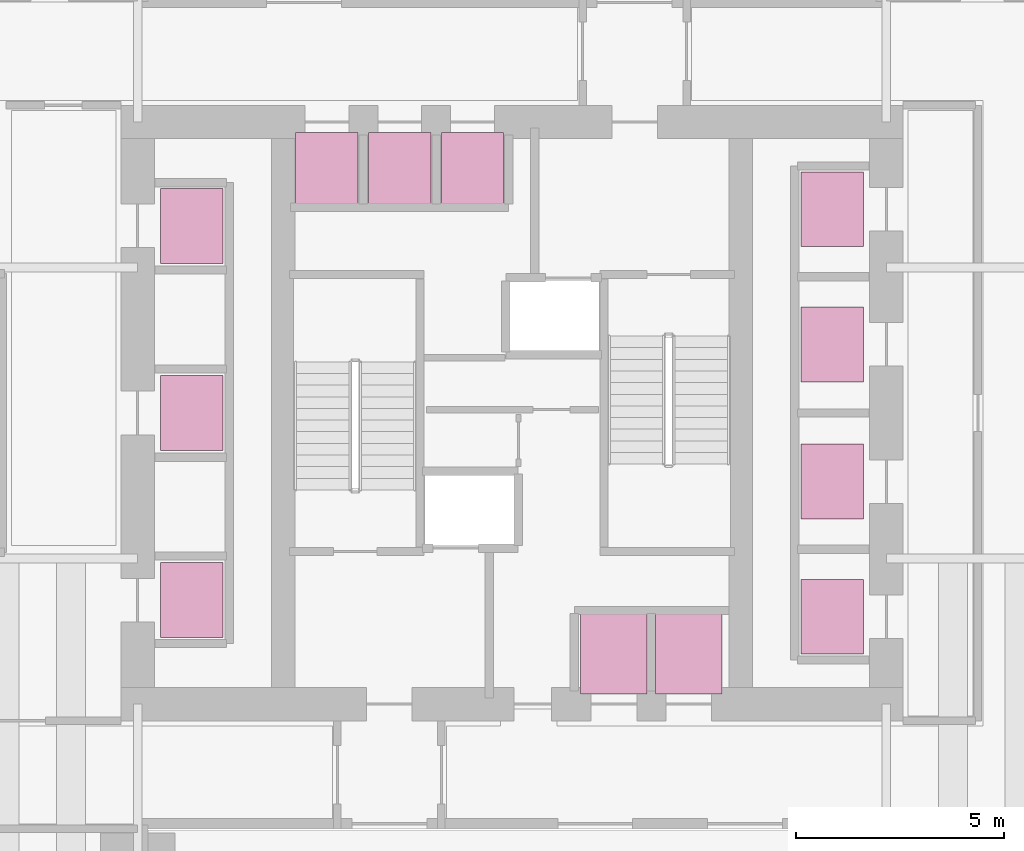
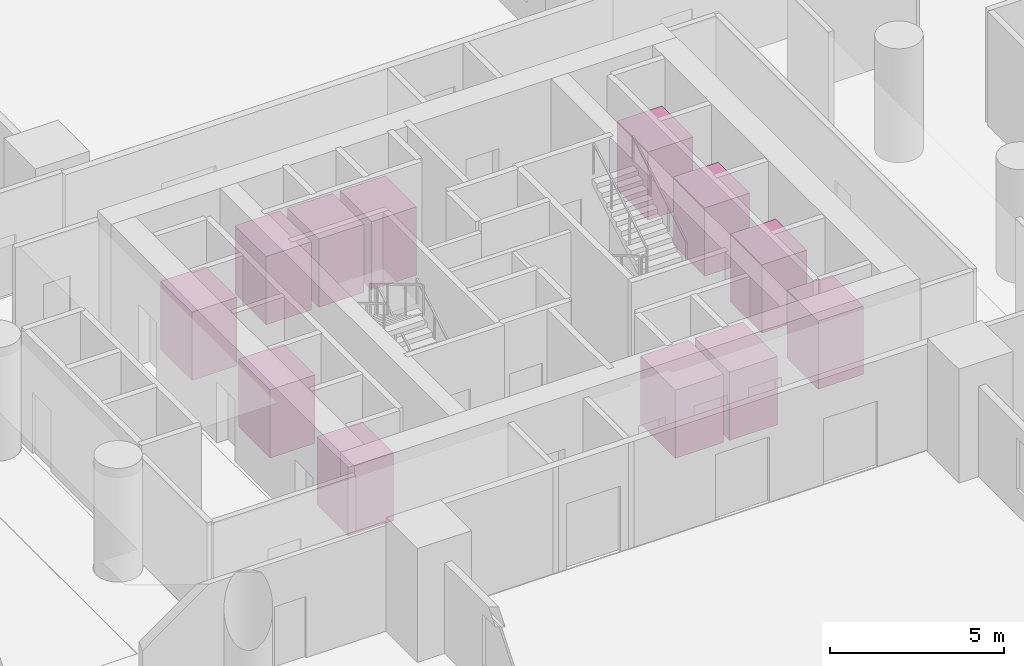
# One storey, part 10 of 10: 12 transport elements.
"""IFC4 building model written with IfcOpenShell, lengths in metres."""

from ifc_helpers import new_model, si_unit, direction, frame, origin, origin_2d, place, context, subcontext, project, spatial, rectangle, extrude, material, type_object, element, save


model = new_model("IFC4")

# Units and contexts
model_context = context("Model", 3, precision=1e-05, world=origin(), true_north=direction((0.0, 1.0)))
body_context = subcontext(model_context, "Body", "Model", "MODEL_VIEW")
ifc_project = project(units=[si_unit("LENGTHUNIT", "METRE"), si_unit("AREAUNIT", "SQUARE_METRE"), si_unit("VOLUMEUNIT", "CUBIC_METRE"), si_unit("PLANEANGLEUNIT", "RADIAN"), si_unit("MASSUNIT", "GRAM", prefix="KILO")], contexts=[model_context])

# Site, building, storey
site_placement = place(None, origin())
site = spatial("IfcSite", under=ifc_project, at=site_placement, CompositionType="ELEMENT")
building_placement = place(site_placement, origin())
building = spatial("IfcBuilding", under=site, at=building_placement, Name="Veldorim Arch Residences", CompositionType="ELEMENT")
storey_placement = place(building_placement, origin())
storey = spatial("IfcBuildingStorey", under=building, at=storey_placement, Name="L00", CompositionType="ELEMENT", Elevation=0.0)

# Transport elements
ifc_material_1 = material(Name="Stainless Steel & Laminated Glass", Category="steel")
transport_element_type_1 = type_object("IfcTransportElementType", Name="Express Observation Shuttle Lift Car 2000x1600", PredefinedType="ELEVATOR", material=ifc_material_1)
for number, where, z_axis, x_axis, name in (
    (1, (34.449951171875, 18.25, 0.0), (0.0, 0.0, 1.0), (0.0, 1.0, 0.0), "Elevator Car OL-01"),
    (2, (36.25, 18.25, 0.0), (0.0, 0.0, 1.0), (0.0, 1.0, 0.0), "Elevator Car OL-02"),
):
    element("IfcTransportElement", number, at=place(storey_placement, frame(where, z_axis=z_axis, x_axis=x_axis)), inside=storey, type_object=transport_element_type_1, Name=name, PredefinedType="ELEVATOR", context=body_context, shape_type="SweptSolid", body=[
        extrude(rectangle(XDim=2.0, YDim=1.60009765625, at=origin_2d()), origin(), (0.0, 0.0, 1.0), 2.39990234375),
    ])
ifc_material_2 = material(Name="Stainless Steel", Category="steel")
transport_element_type_2 = type_object("IfcTransportElementType", Name="Zoned High-Speed Passenger Lift Car 1800x1500", PredefinedType="ELEVATOR", material=ifc_material_2)
for number, where, z_axis, x_axis, name in (
    (3, (39.699951171875, 19.10009765625, 0.0), (0.0, 0.0, 1.0), (0.0, 1.0, 0.0), "Elevator Car PL-01"),
    (4, (39.699951171875, 22.35009765625, 0.0), (0.0, 0.0, 1.0), (0.0, 1.0, 0.0), "Elevator Car PL-02"),
    (5, (39.699951171875, 25.64990234375, 0.0), (0.0, 0.0, 1.0), (0.0, 1.0, 0.0), "Elevator Car PL-03"),
    (6, (39.699951171875, 28.89990234375, 0.0), (0.0, 0.0, 1.0), (0.0, 1.0, 0.0), "Elevator Car PL-04"),
    (7, (24.300048828125, 19.5, 0.0), (0.0, 0.0, 1.0), (0.0, 1.0, 0.0), "Elevator Car PL-05"),
    (8, (24.300048828125, 24.0, 0.0), (0.0, 0.0, 1.0), (0.0, 1.0, 0.0), "Elevator Car PL-06"),
    (9, (24.300048828125, 28.5, 0.0), (0.0, 0.0, 1.0), (0.0, 1.0, 0.0), "Elevator Car PL-07"),
    (10, (27.550048828125, 29.85009765625, 0.0), (0.0, 0.0, 1.0), (0.0, 1.0, 0.0), "Elevator Car PL-08"),
    (11, (29.300048828125, 29.85009765625, 0.0), (0.0, 0.0, 1.0), (0.0, 1.0, 0.0), "Elevator Car PL-09"),
    (12, (31.050048828125, 29.85009765625, 0.0), (0.0, 0.0, 1.0), (0.0, 1.0, 0.0), "Elevator Car PL-10"),
):
    element("IfcTransportElement", number, at=place(storey_placement, frame(where, z_axis=z_axis, x_axis=x_axis)), inside=storey, type_object=transport_element_type_2, Name=name, PredefinedType="ELEVATOR", context=body_context, shape_type="SweptSolid", body=[
        extrude(rectangle(XDim=1.800048828125, YDim=1.5, at=origin_2d()), origin(), (0.0, 0.0, 1.0), 2.39990234375),
    ])

save(model, "model.ifc")
